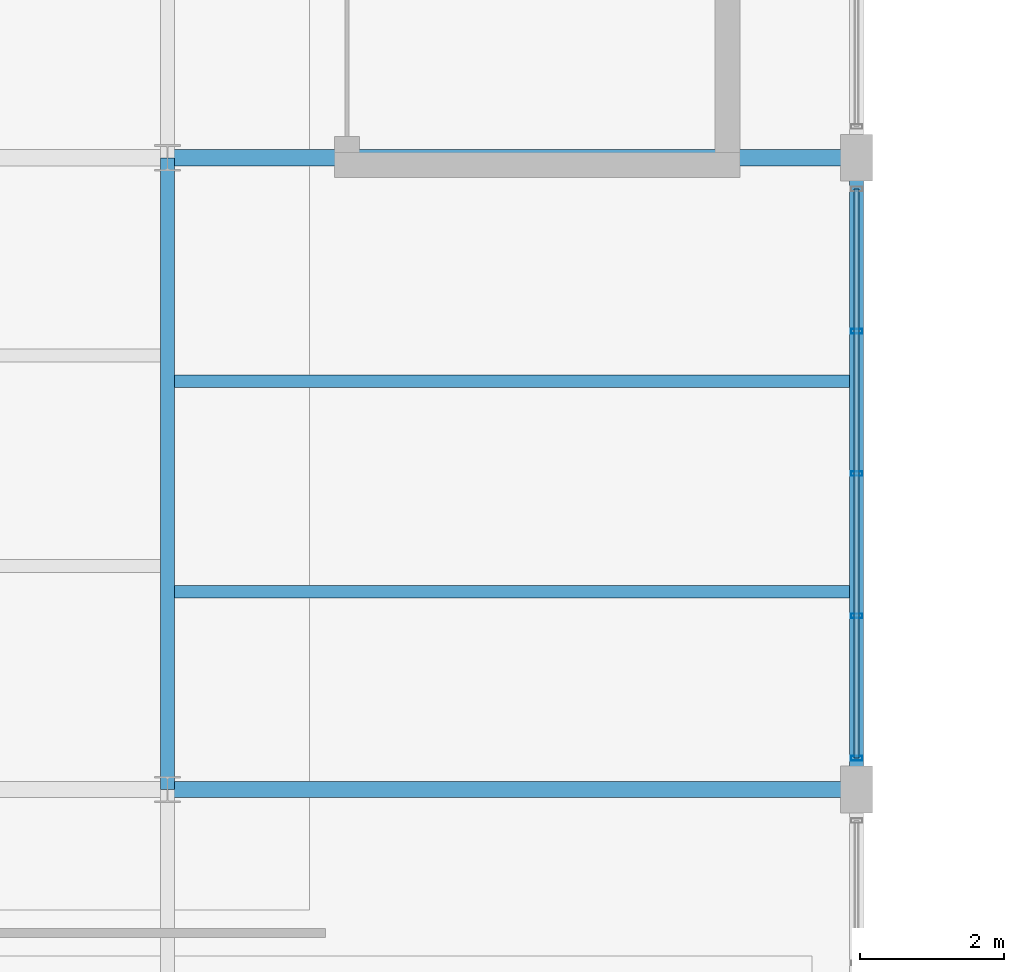
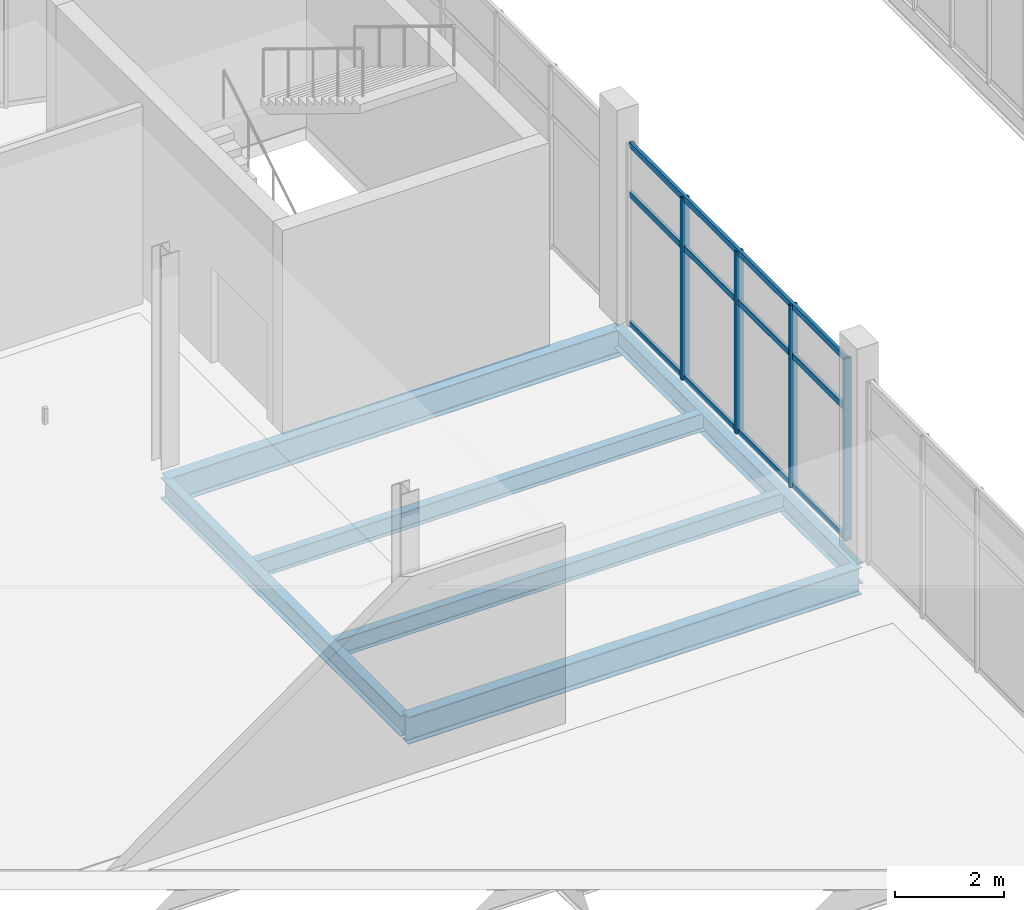
# One storey, part 40 of 157: 7 members, 6 beams, 1 element without a shape of its own.
"""IFC4 building model written with IfcOpenShell, lengths in metres."""

from ifc_helpers import new_model, si_unit, direction, frame, origin, origin_2d, place, context, subcontext, project, spatial, hollow_rectangle, i_section, extrude, material, layer, layer_set, material_profile, profile_set, type_object, element, aggregate, save


model = new_model("IFC4")

# Units and contexts
model_context = context("Model", 3, precision=1e-05, world=origin(), true_north=direction((0.0, 1.0)))
body_context = subcontext(model_context, "Body", "Model", "MODEL_VIEW")
ifc_project = project(units=[si_unit("LENGTHUNIT", "METRE"), si_unit("AREAUNIT", "SQUARE_METRE"), si_unit("VOLUMEUNIT", "CUBIC_METRE"), si_unit("PLANEANGLEUNIT", "RADIAN"), si_unit("MASSUNIT", "GRAM", prefix="KILO")], contexts=[model_context])

# Site, building, storey
site_placement = place(None, origin())
site = spatial("IfcSite", under=ifc_project, at=site_placement, CompositionType="ELEMENT")
building_placement = place(site_placement, origin())
building = spatial("IfcBuilding", under=site, at=building_placement, Name="Chalmorin Arch Market", CompositionType="ELEMENT")
storey_placement = place(building_placement, frame((0.0, 0.0, 4.800048828125)))
storey = spatial("IfcBuildingStorey", under=building, at=storey_placement, Name="L01", CompositionType="ELEMENT", Elevation=4.800048828125)

# Curtain wall, members
ifc_material_1 = material(Name="Aluminium 6063-T6", Category="aluminium")
ifc_layer = layer(ifc_material_1, 0.159912109375)
ifc_layer_set = layer_set([ifc_layer], Name="Aluminium 6063-T6")
curtain_wall_type = type_object("IfcCurtainWallType", Name="RiverfrontStorefrontCurtainWall-CW2-7930x4080", PredefinedType="NOTDEFINED", material=ifc_layer_set)
curtain_wall_placement = place(storey_placement, origin())
curtain_wall = element("IfcCurtainWall", 1, at=curtain_wall_placement, inside=storey, type_object=curtain_wall_type, Name="CW-02-103", PredefinedType="NOTDEFINED")
ifc_material_profile_1 = material_profile(ifc_material_1, hollow_rectangle(XDim=0.06494140625, YDim=0.159912109375, WallThickness=0.00390625, at=origin_2d()), Name="ALU65X160X4")
ifc_profile_set_1 = profile_set([ifc_material_profile_1], Name="Aluminium 6063-T6")
member_type_1 = type_object("IfcMemberType", Name="CurtainWallMullion-65x160", PredefinedType="MULLION", material=ifc_profile_set_1)
member_1_placement = place(storey_placement, frame((38.39990234375, 32.8349609375, 0.0), z_axis=(0.0, 0.0, 1.0), x_axis=(0.0, 1.0, 0.0)))
member_1 = element("IfcMember", 2, at=member_1_placement, type_object=member_type_1, Name="ML-103-01", PredefinedType="MULLION", context=body_context, shape_type="SweptSolid", body=[
    extrude(hollow_rectangle(XDim=0.06494140625, YDim=0.159912109375, WallThickness=0.00390625, at=origin_2d()), origin(), (0.0, 0.0, 1.0), 4.075927734375),
])
member_2_placement = place(storey_placement, frame((38.39990234375, 34.8173828125, 0.0), z_axis=(0.0, 0.0, 1.0), x_axis=(0.0, 1.0, 0.0)))
member_2 = element("IfcMember", 3, at=member_2_placement, type_object=member_type_1, Name="ML-103-02", PredefinedType="MULLION", context=body_context, shape_type="SweptSolid", body=[
    extrude(hollow_rectangle(XDim=0.06494140625, YDim=0.159912109375, WallThickness=0.00390625, at=origin_2d()), origin(), (0.0, 0.0, 1.0), 4.075927734375),
])
member_3_placement = place(storey_placement, frame((38.39990234375, 36.800048828125, 0.0), z_axis=(0.0, 0.0, 1.0), x_axis=(0.0, 1.0, 0.0)))
member_3 = element("IfcMember", 4, at=member_3_placement, type_object=member_type_1, Name="ML-103-03", PredefinedType="MULLION", context=body_context, shape_type="SweptSolid", body=[
    extrude(hollow_rectangle(XDim=0.06494140625, YDim=0.159912109375, WallThickness=0.00390625, at=origin_2d()), origin(), (0.0, 0.0, 1.0), 4.075927734375),
])
member_4_placement = place(storey_placement, frame((38.39990234375, 38.782470703125, 0.0), z_axis=(0.0, 0.0, 1.0), x_axis=(0.0, 1.0, 0.0)))
member_4 = element("IfcMember", 5, at=member_4_placement, type_object=member_type_1, Name="ML-103-04", PredefinedType="MULLION", context=body_context, shape_type="SweptSolid", body=[
    extrude(hollow_rectangle(XDim=0.06494140625, YDim=0.159912109375, WallThickness=0.00390625, at=origin_2d()), origin(), (0.0, 0.0, 1.0), 4.075927734375),
])
ifc_material_profile_2 = material_profile(ifc_material_1, hollow_rectangle(XDim=0.06494140625, YDim=0.1298828125, WallThickness=0.00390625, at=origin_2d()), Name="ALU65X130X4")
ifc_profile_set_2 = profile_set([ifc_material_profile_2], Name="Aluminium 6063-T6")
member_type_2 = type_object("IfcMemberType", Name="CurtainWallTransom-65x130", PredefinedType="USERDEFINED", material=ifc_profile_set_2)
member_5_placement = place(storey_placement, frame((38.39990234375, 32.8349609375, 0.034912109375), z_axis=(0.0, 1.0, 0.0), x_axis=(-1.0, 0.0, 0.0)))
member_5 = element("IfcMember", 6, at=member_5_placement, type_object=member_type_2, Name="TR-103-01", ObjectType="TRANSOM", PredefinedType="USERDEFINED", context=body_context, shape_type="SweptSolid", body=[
    extrude(hollow_rectangle(XDim=0.06494140625, YDim=0.1298828125, WallThickness=0.00390625, at=origin_2d()), origin(), (0.0, 0.0, 1.0), 7.929931640625),
])
member_6_placement = place(storey_placement, frame((38.39990234375, 32.8349609375, 2.9345703125), z_axis=(0.0, 1.0, 0.0), x_axis=(-1.0, 0.0, 0.0)))
member_6 = element("IfcMember", 7, at=member_6_placement, type_object=member_type_2, Name="TR-103-02", ObjectType="TRANSOM", PredefinedType="USERDEFINED", context=body_context, shape_type="SweptSolid", body=[
    extrude(hollow_rectangle(XDim=0.06494140625, YDim=0.1298828125, WallThickness=0.00390625, at=origin_2d()), origin(), (0.0, 0.0, 1.0), 7.929931640625),
])
member_7_placement = place(storey_placement, frame((38.39990234375, 32.8349609375, 4.041015625), z_axis=(0.0, 1.0, 0.0), x_axis=(-1.0, 0.0, 0.0)))
member_7 = element("IfcMember", 8, at=member_7_placement, type_object=member_type_2, Name="TR-103-03", ObjectType="TRANSOM", PredefinedType="USERDEFINED", context=body_context, shape_type="SweptSolid", body=[
    extrude(hollow_rectangle(XDim=0.06494140625, YDim=0.1298828125, WallThickness=0.00390625, at=origin_2d()), origin(), (0.0, 0.0, 1.0), 7.929931640625),
])
aggregate(curtain_wall, [member_1, member_2, member_3, member_4, member_5, member_6, member_7])

# Beams
ifc_material_2 = material(Name="Steel A992 Grade 50", Category="steel")
ifc_material_profile_3 = material_profile(ifc_material_2, i_section(OverallWidth=0.193115234375, OverallDepth=0.466064453125, WebThickness=0.011474609375, FlangeThickness=0.01904296875, FilletRadius=0.02001953125, at=origin_2d()), Name="W18X65")
ifc_profile_set_3 = profile_set([ifc_material_profile_3], Name="Steel A992 Grade 50")
beam_type_1 = type_object("IfcBeamType", Name="FloorSteelBeam-W18X65", PredefinedType="BEAM", material=ifc_profile_set_3)
beam_1_placement = place(storey_placement, frame((28.800048828125, 32.39990234375, -0.51513671875), z_axis=(0.0, 1.0, 0.0), x_axis=(-1.0, 0.0, 0.0)))
element("IfcBeam", 9, at=beam_1_placement, inside=storey, type_object=beam_type_1, Name="BM-W18A-0831", PredefinedType="BEAM", context=body_context, shape_type="SweptSolid", body=[
    extrude(i_section(OverallWidth=0.193115234375, OverallDepth=0.466064453125, WebThickness=0.011474609375, FlangeThickness=0.01904296875, FilletRadius=0.02001953125, at=origin_2d()), origin(), (0.0, 0.0, 1.0), 8.800048828125),
])
ifc_material_profile_4 = material_profile(ifc_material_2, i_section(OverallWidth=0.19091796875, OverallDepth=0.45703125, WebThickness=0.009033203125, FlangeThickness=0.014404296875, FilletRadius=0.02001953125, at=origin_2d()), Name="W18X50")
ifc_profile_set_4 = profile_set([ifc_material_profile_4], Name="Steel A992 Grade 50")
beam_type_2 = type_object("IfcBeamType", Name="PerimeterSpandrelBeam-W18X50", PredefinedType="SPANDREL", material=ifc_profile_set_4)
beam_2_placement = place(storey_placement, frame((38.39990234375, 32.39990234375, -0.510498046875), z_axis=(0.0, 1.0, 0.0), x_axis=(-1.0, 0.0, 0.0)))
element("IfcBeam", 10, at=beam_2_placement, inside=storey, type_object=beam_type_2, Name="SP-W18-0842", PredefinedType="SPANDREL", context=body_context, shape_type="SweptSolid", body=[
    extrude(i_section(OverallWidth=0.19091796875, OverallDepth=0.45703125, WebThickness=0.009033203125, FlangeThickness=0.014404296875, FilletRadius=0.02001953125, at=origin_2d()), origin(), (0.0, 0.0, 1.0), 8.800048828125),
])
ifc_material_profile_5 = material_profile(ifc_material_2, i_section(OverallWidth=0.22802734375, OverallDepth=0.60791015625, WebThickness=0.01123046875, FlangeThickness=0.017333984375, FilletRadius=0.02392578125, at=origin_2d()), Name="W24X76")
ifc_profile_set_5 = profile_set([ifc_material_profile_5], Name="Steel A992 Grade 50")
beam_type_3 = type_object("IfcBeamType", Name="PrimarySteelGirder-W24X76", PredefinedType="BEAM", material=ifc_profile_set_5)
for number, where, z_axis, x_axis, name in (
    (11, (28.800048828125, 32.39990234375, -0.5859375), (1.0, 0.0, 0.0), (0.0, 1.0, 0.0), "BG-W24B-0839"),
    (12, (28.800048828125, 41.199951171875, -0.5859375), (1.0, 0.0, 0.0), (0.0, 1.0, 0.0), "BG-W24B-0841"),
):
    element("IfcBeam", number, at=place(storey_placement, frame(where, z_axis=z_axis, x_axis=x_axis)), inside=storey, type_object=beam_type_3, Name=name, PredefinedType="BEAM", context=body_context, shape_type="SweptSolid", body=[
        extrude(i_section(OverallWidth=0.22802734375, OverallDepth=0.60791015625, WebThickness=0.01123046875, FlangeThickness=0.017333984375, FilletRadius=0.02392578125, at=origin_2d()), origin(), (0.0, 0.0, 1.0), 9.599853515625),
    ])
ifc_material_profile_6 = material_profile(ifc_material_2, i_section(OverallWidth=0.177978515625, OverallDepth=0.403076171875, WebThickness=0.007568359375, FlangeThickness=0.010986328125, FilletRadius=0.01806640625, at=origin_2d()), Name="W16X36")
ifc_profile_set_6 = profile_set([ifc_material_profile_6], Name="Steel A992 Grade 50")
beam_type_4 = type_object("IfcBeamType", Name="SecondaryFloorJoist-W16X36", PredefinedType="JOIST", material=ifc_profile_set_6)
for number, where, z_axis, x_axis, name in (
    (13, (28.800048828125, 35.1533203125, -0.483642578125), (1.0, 0.0, 0.0), (0.0, 1.0, 0.0), "BJ-W16B-0876"),
    (14, (28.800048828125, 38.086669921875, -0.483642578125), (1.0, 0.0, 0.0), (0.0, 1.0, 0.0), "BJ-W16B-0877"),
):
    element("IfcBeam", number, at=place(storey_placement, frame(where, z_axis=z_axis, x_axis=x_axis)), inside=storey, type_object=beam_type_4, Name=name, PredefinedType="JOIST", context=body_context, shape_type="SweptSolid", body=[
        extrude(i_section(OverallWidth=0.177978515625, OverallDepth=0.403076171875, WebThickness=0.007568359375, FlangeThickness=0.010986328125, FilletRadius=0.01806640625, at=origin_2d()), origin(), (0.0, 0.0, 1.0), 9.599853515625),
    ])

save(model, "model.ifc")
